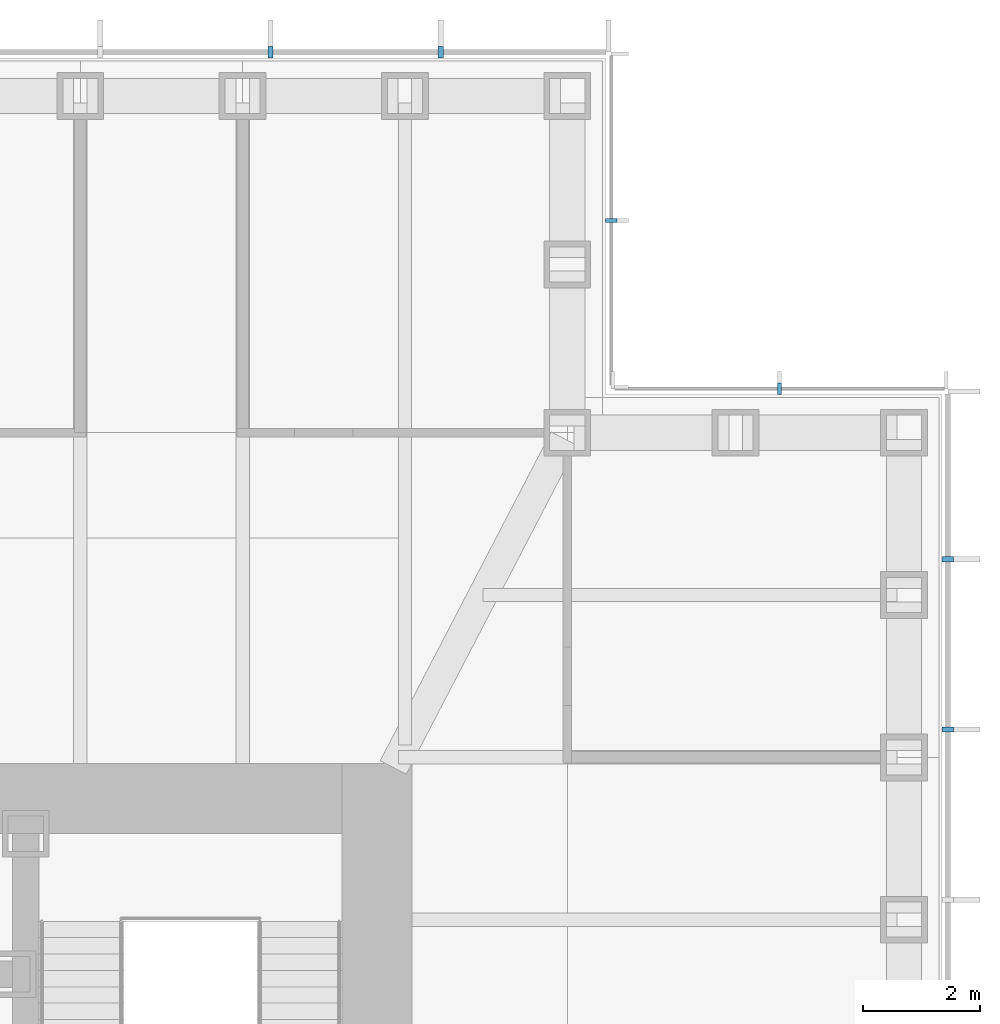
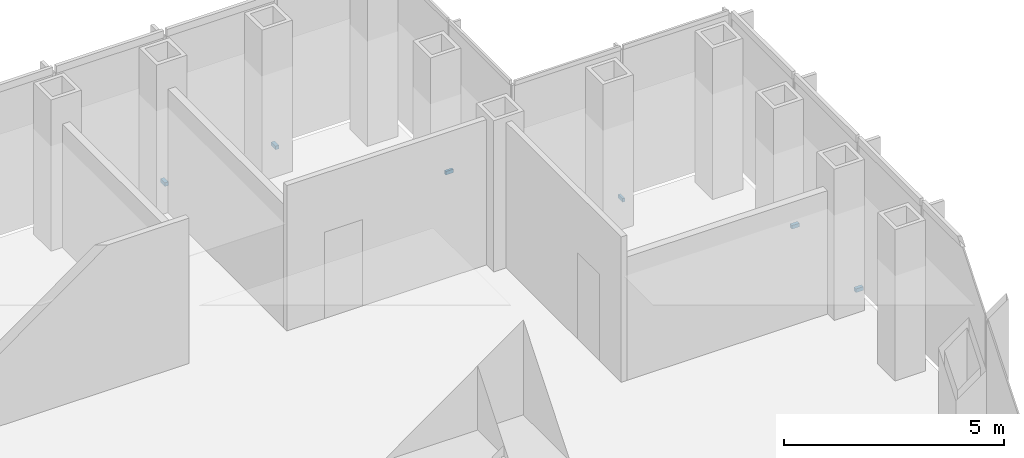
# One storey, part 15 of 16: 6 discrete accessories.
"""IFC4 building model written with IfcOpenShell, lengths in metres."""

from ifc_helpers import new_model, si_unit, direction, frame, origin, origin_2d, place, context, subcontext, project, spatial, rectangle, extrude, element, save


model = new_model("IFC4")

# Units and contexts
model_context = context("Model", 3, precision=1e-05, world=origin(), true_north=direction((0.0, 1.0)))
body_context = subcontext(model_context, "Body", "Model", "MODEL_VIEW")
ifc_project = project(units=[si_unit("LENGTHUNIT", "METRE"), si_unit("AREAUNIT", "SQUARE_METRE"), si_unit("VOLUMEUNIT", "CUBIC_METRE"), si_unit("PLANEANGLEUNIT", "RADIAN"), si_unit("MASSUNIT", "GRAM", prefix="KILO")], contexts=[model_context])

# Site, building, storey
site_placement = place(None, origin())
site = spatial("IfcSite", under=ifc_project, at=site_placement, CompositionType="ELEMENT")
building_placement = place(site_placement, origin())
building = spatial("IfcBuilding", under=site, at=building_placement, Name="Daluyong Arena Tower", CompositionType="ELEMENT")
storey_placement = place(building_placement, frame((0.0, 0.0, 258.699951171875)))
storey = spatial("IfcBuildingStorey", under=building, at=storey_placement, Name="L58", CompositionType="ELEMENT", Elevation=258.699951171875)

# Discrete accessories
for number, where, z_axis, x_axis, name in (
    (1, (77.75, 90.181884765625, -0.10009765625), (0.0, 0.0, 1.0), (0.0, 1.0, 0.0), "curtain wall L58 E anchor bracket 10"),
    (2, (77.75, 93.0908203125, -0.10009765625), (0.0, 0.0, 1.0), (0.0, 1.0, 0.0), "curtain wall L58 E anchor bracket 11"),
):
    element("IfcDiscreteAccessory", number, at=place(storey_placement, frame(where, z_axis=z_axis, x_axis=x_axis)), inside=storey, Name=name, PredefinedType="BRACKET", context=body_context, shape_type="SweptSolid", body=[
        extrude(rectangle(XDim=0.090087890625, YDim=0.199951171875, at=origin_2d()), origin(), (0.0, 0.0, 1.0), 0.10009765625),
    ])
for number, where, z_axis, x_axis, name in (
    (3, (74.875, 96.0, -0.10009765625), (0.0, 0.0, 1.0), (-1.0, 0.0, 0.0), "curtain wall L58 NE-N anchor bracket 2"),
    (4, (72.0, 98.875, -0.10009765625), (0.0, 0.0, 1.0), (0.0, 1.0, 0.0), "curtain wall L58 NE-E anchor bracket 2"),
):
    element("IfcDiscreteAccessory", number, at=place(storey_placement, frame(where, z_axis=z_axis, x_axis=x_axis)), inside=storey, Name=name, PredefinedType="BRACKET", context=body_context, shape_type="SweptSolid", body=[
        extrude(rectangle(XDim=0.06005859375, YDim=0.199951171875, at=origin_2d()), origin(), (0.0, 0.0, 1.0), 0.10009765625),
    ])
for number, where, z_axis, x_axis, name in (
    (5, (69.0908203125, 101.75, -0.10009765625), (0.0, 0.0, 1.0), (-1.0, 0.0, 0.0), "curtain wall L58 N anchor bracket 2"),
    (6, (66.181884765625, 101.75, -0.10009765625), (0.0, 0.0, 1.0), (-1.0, 0.0, 0.0), "curtain wall L58 N anchor bracket 3"),
):
    element("IfcDiscreteAccessory", number, at=place(storey_placement, frame(where, z_axis=z_axis, x_axis=x_axis)), inside=storey, Name=name, PredefinedType="BRACKET", context=body_context, shape_type="SweptSolid", body=[
        extrude(rectangle(XDim=0.090087890625, YDim=0.199951171875, at=origin_2d()), origin(), (0.0, 0.0, 1.0), 0.10009765625),
    ])

save(model, "model.ifc")
